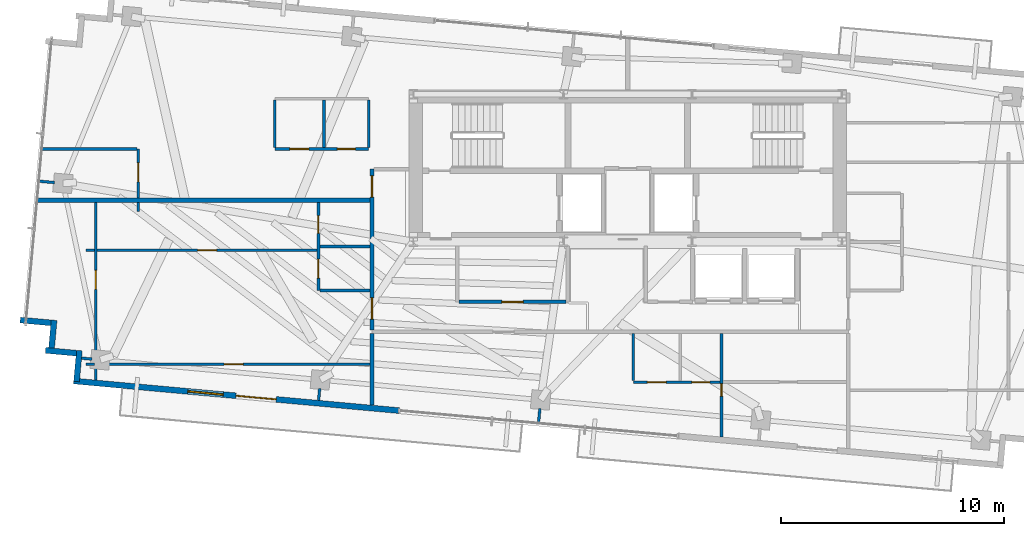
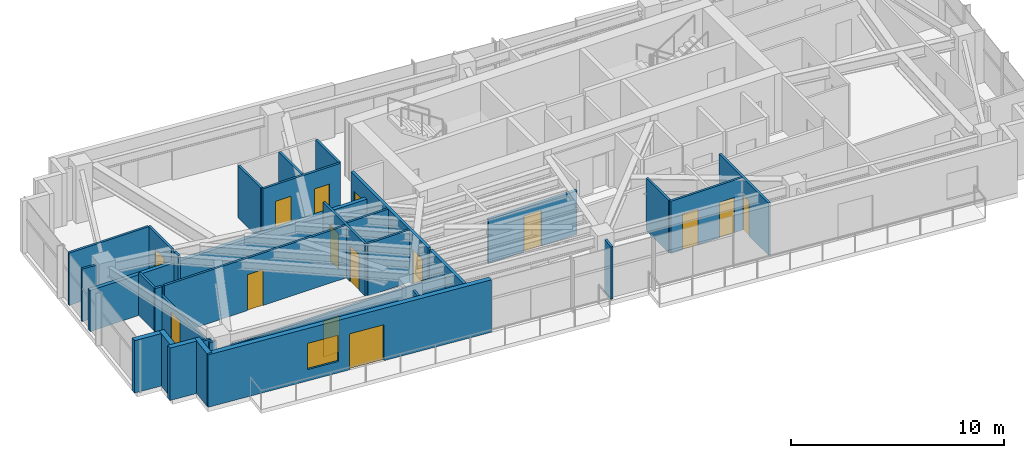
# One storey, part 16 of 22: 31 walls, 15 doors, 1 window, 16 openings.
"""IFC4 building model written with IfcOpenShell, lengths in metres."""

import ifcopenshell
import ifcopenshell.guid

model = None  # the IFC model being written
_history = None  # IfcOwnerHistory: only IFC2X3 demands one
_inside = {}  # id of a spatial element -> (the spatial element, [elements in it])
_under = {}  # id of a project, library or spatial element -> (it, [spatial elements below it])
_declared = {}  # id of a project -> (the project, [libraries it declares])
_typed = {}  # id of a type object -> (the type object, [elements of that type])
_made_of = {}  # id of a material, layer set ... -> (it, [elements and type objects made of it])


def new_model(schema):
    """Start an empty IFC model of exactly this schema.

    Asked for "IFC4X3", IfcOpenShell would pick the latest addendum, in which some entities
    have other attributes; the version numbers below select the first issue.
    IFC2X3 requires an IfcOwnerHistory on every rooted entity: one is made here for all.
    """
    global model, _history
    if schema == "IFC4X3":
        model = ifcopenshell.file(schema_version=(4, 3, 0, 0))
    else:
        model = ifcopenshell.file(schema=schema)
    _inside.clear()
    _under.clear()
    _declared.clear()
    _typed.clear()
    _made_of.clear()
    _history = None
    if model.schema == "IFC2X3":
        org = make("IfcOrganization", Name="unknown")
        user = make(
            "IfcPersonAndOrganization",
            ThePerson=make("IfcPerson", FamilyName="unknown"),
            TheOrganization=org,
        )
        app = make(
            "IfcApplication",
            ApplicationDeveloper=org,
            Version="unknown",
            ApplicationFullName="unknown",
            ApplicationIdentifier="unknown",
        )
        _history = make(
            "IfcOwnerHistory",
            OwningUser=user,
            OwningApplication=app,
            ChangeAction="ADDED",
            CreationDate=0,
        )
    return model


def make(cls, **values):
    """One entity of the class cls with the attributes given. An attribute that is None is left unset."""
    return model.create_entity(
        cls, **{name: value for name, value in values.items() if value is not None}
    )


def rooted(cls, **values):
    """An entity with a GlobalId (a new one), such as an element, a storey or a relation."""
    return make(cls, GlobalId=ifcopenshell.guid.new(), OwnerHistory=_history, **values)


def si_unit(unit_type, name, prefix=None):
    """IfcSIUnit, for example si_unit("LENGTHUNIT", "METRE", prefix="MILLI")."""
    return make("IfcSIUnit", UnitType=unit_type, Prefix=prefix, Name=name)


def assignment(units):
    """IfcUnitAssignment: the units of a project."""
    return None if units is None else make("IfcUnitAssignment", Units=units)


def point(xyz):
    """IfcCartesianPoint."""
    return None if xyz is None else make("IfcCartesianPoint", Coordinates=xyz)


def direction(xyz):
    """IfcDirection."""
    return None if xyz is None else make("IfcDirection", DirectionRatios=xyz)


def frame(location, z_axis=None, x_axis=None):
    """IfcAxis2Placement3D, a coordinate frame: its origin and axes. An axis left out is left unset."""
    return make(
        "IfcAxis2Placement3D",
        Location=point(location),
        Axis=direction(z_axis),
        RefDirection=direction(x_axis),
    )


def frame_2d(location, x_axis=None):
    """IfcAxis2Placement2D, a coordinate frame in the plane: its origin and x axis."""
    return make(
        "IfcAxis2Placement2D", Location=point(location), RefDirection=direction(x_axis)
    )


def origin():
    """The frame at (0, 0, 0) with its axes left unset."""
    return frame((0.0, 0.0, 0.0))


def place(relative_to, where):
    """IfcLocalPlacement: puts the frame where relative to a parent placement (None: the world)."""
    return make(
        "IfcLocalPlacement", PlacementRelTo=relative_to, RelativePlacement=where
    )


def context(
    kind, dimensions, precision=None, world=None, true_north=None, identifier=None
):
    """IfcGeometricRepresentationContext, for example the 3D "Model" context."""
    return make(
        "IfcGeometricRepresentationContext",
        ContextIdentifier=identifier,
        ContextType=kind,
        CoordinateSpaceDimension=dimensions,
        Precision=precision,
        WorldCoordinateSystem=world,
        TrueNorth=true_north,
    )


def subcontext(parent, identifier, kind, view, scale=None):
    """IfcGeometricRepresentationSubContext, for example "Body" below "Model"."""
    return make(
        "IfcGeometricRepresentationSubContext",
        ContextIdentifier=identifier,
        ContextType=kind,
        ParentContext=parent,
        TargetScale=scale,
        TargetView=view,
    )


def project(units=None, contexts=None):
    """IfcProject with its units and contexts."""
    return rooted(
        "IfcProject",
        Name="project",
        RepresentationContexts=contexts,
        UnitsInContext=assignment(units),
    )


def spatial(cls, under=None, at=None, **own):
    """A site, building, storey or space (cls), placed at a placement, below another one or the project."""
    s = rooted(cls, ObjectPlacement=at, **own)
    if under is not None:
        _under.setdefault(under.id(), (under, []))[1].append(s)
    return s


def profile(cls, at=None, kind="AREA", **sizes):
    """A parametric profile (cls). Its sizes go by their IFC names, for example OverallWidth=200.0."""
    return make(cls, ProfileType=kind, Position=at, **sizes)


def rectangle(**sizes):
    """IfcRectangleProfileDef."""
    return profile("IfcRectangleProfileDef", **sizes)


def extrude(swept, where, along, depth):
    """IfcExtrudedAreaSolid: the profile swept, set in the frame where, extruded along a direction by depth."""
    return make(
        "IfcExtrudedAreaSolid",
        SweptArea=swept,
        Position=where,
        ExtrudedDirection=direction(along),
        Depth=depth,
    )


def shape(context_of_items, identifier, shape_type, items):
    """IfcShapeRepresentation: the items that make up one representation, for example the "Body"."""
    return make(
        "IfcShapeRepresentation",
        ContextOfItems=context_of_items,
        RepresentationIdentifier=identifier,
        RepresentationType=shape_type,
        Items=items,
    )


def source(mapping_origin, context_of_items, identifier, shape_type, items):
    """IfcRepresentationMap: a shape defined once, which mapped items show again and again."""
    return make(
        "IfcRepresentationMap",
        MappingOrigin=mapping_origin,
        MappedRepresentation=shape(context_of_items, identifier, shape_type, items),
    )


def transform(
    local_origin,
    x_axis=None,
    y_axis=None,
    z_axis=None,
    scale=None,
    scale2=None,
    scale3=None,
    uniform=True,
):
    """IfcCartesianTransformationOperator3D, or its non-uniform kind. x_axis, y_axis, z_axis: its Axis1, 2, 3."""
    if uniform:
        return make(
            "IfcCartesianTransformationOperator3D",
            Axis1=direction(x_axis),
            Axis2=direction(y_axis),
            LocalOrigin=point(local_origin),
            Scale=scale,
            Axis3=direction(z_axis),
        )
    return make(
        "IfcCartesianTransformationOperator3DnonUniform",
        Axis1=direction(x_axis),
        Axis2=direction(y_axis),
        LocalOrigin=point(local_origin),
        Scale=scale,
        Axis3=direction(z_axis),
        Scale2=scale2,
        Scale3=scale3,
    )


def mapped(mapping_source, mapping_target):
    """IfcMappedItem: shows the shape of a source again, moved by a transform."""
    return make(
        "IfcMappedItem", MappingSource=mapping_source, MappingTarget=mapping_target
    )


def material(Name=None, Category=None):
    """IfcMaterial."""
    return make("IfcMaterial", Name=Name, Category=Category)


def layer(
    of_material, thickness, ventilated=None, Name=None, Category=None, Priority=None
):
    """IfcMaterialLayer: one layer of a wall or slab, of a material (None: an air gap)."""
    return make(
        "IfcMaterialLayer",
        Material=of_material,
        LayerThickness=thickness,
        IsVentilated=ventilated,
        Name=Name,
        Category=Category,
        Priority=Priority,
    )


def layer_set(layers, Name=None):
    """IfcMaterialLayerSet."""
    return make("IfcMaterialLayerSet", MaterialLayers=layers, LayerSetName=Name)


def made_of(thing, what):
    """Note that an element or type object is made of a material, layer set ...; save() writes the relation."""
    if what is not None:
        _made_of.setdefault(what.id(), (what, []))[1].append(thing)
    return thing


def type_object(cls, material=None, **own):
    """A type object (cls), such as IfcWallType, which elements share."""
    return made_of(rooted(cls, **own), material)


def type_shapes(of_type, sources):
    """Give a type object the sources (RepresentationMaps) that its elements show as mapped items."""
    of_type.RepresentationMaps = sources


def element(
    cls,
    number,
    at=None,
    inside=None,
    cuts=None,
    type_object=None,
    material=None,
    context=None,
    identifier="Body",
    shape_type=None,
    held_by="IfcProductDefinitionShape",
    body=None,
    shapes=None,
    **own,
):
    """One element of the class cls, such as IfcWall. Its Tag is "e" and its number.

    at: its placement. inside: the storey or other place that contains it. cuts: it is an
    opening in that element (IfcRelVoidsElement). A single representation is given by context,
    identifier, shape_type and body (its items); several are given by shapes. held_by: the class
    of the entity that holds the representations. save() writes the other relations.
    """
    e = rooted(cls, Tag="e%d" % number, ObjectPlacement=at, **own)
    if body is not None:
        shapes = [shape(context, identifier, shape_type, body)]
    if shapes is not None:
        e.Representation = make(held_by, Representations=shapes)
    if inside is not None:
        _inside.setdefault(inside.id(), (inside, []))[1].append(e)
    if cuts is not None:
        rooted(
            "IfcRelVoidsElement", RelatingBuildingElement=cuts, RelatedOpeningElement=e
        )
    if type_object is not None:
        _typed.setdefault(type_object.id(), (type_object, []))[1].append(e)
    return made_of(e, material)


def fill(opening, filler):
    """IfcRelFillsElement: the door or window that sits in an opening."""
    return rooted(
        "IfcRelFillsElement",
        RelatingOpeningElement=opening,
        RelatedBuildingElement=filler,
    )


def aggregate(whole, parts):
    """IfcRelAggregates: a whole, such as a stair, and the parts it consists of."""
    return rooted("IfcRelAggregates", RelatingObject=whole, RelatedObjects=parts)


def save(model, path):
    """Write the relations noted so far, then the file.

    IfcRelAggregates (storeys below a building ...), IfcRelContainedInSpatialStructure (elements
    in a storey), IfcRelDefinesByType, IfcRelAssociatesMaterial and IfcRelDeclares: one each for
    every whole, place, type object, material and project.
    """
    for whole, parts in _under.values():
        aggregate(whole, parts)
    for where, things in _inside.values():
        rooted(
            "IfcRelContainedInSpatialStructure",
            RelatedElements=things,
            RelatingStructure=where,
        )
    for kind, things in _typed.values():
        rooted("IfcRelDefinesByType", RelatedObjects=things, RelatingType=kind)
    for what, things in _made_of.values():
        rooted("IfcRelAssociatesMaterial", RelatedObjects=things, RelatingMaterial=what)
    for by, libraries in _declared.values():
        rooted("IfcRelDeclares", RelatingContext=by, RelatedDefinitions=libraries)
    model.write(path)


model = new_model("IFC4")

# Units and contexts
model_context = context("Model", 3, precision=1e-05, world=origin(), true_north=direction((0.0, 1.0)))
body_context = subcontext(model_context, "Body", "Model", "MODEL_VIEW")
ifc_project = project(units=[si_unit("LENGTHUNIT", "METRE"), si_unit("AREAUNIT", "SQUARE_METRE"), si_unit("VOLUMEUNIT", "CUBIC_METRE"), si_unit("PLANEANGLEUNIT", "RADIAN"), si_unit("MASSUNIT", "GRAM", prefix="KILO")], contexts=[model_context])

# Site, building, storey
site_placement = place(None, origin())
site = spatial("IfcSite", under=ifc_project, at=site_placement, CompositionType="ELEMENT")
building_placement = place(site_placement, origin())
building = spatial("IfcBuilding", under=site, at=building_placement, Name="Astriad Promenade Condominiums", CompositionType="ELEMENT")
storey_placement = place(building_placement, frame((0.0, 0.0, 256.199951171875)))
storey = spatial("IfcBuildingStorey", under=building, at=storey_placement, Name="L74", CompositionType="ELEMENT", Elevation=256.199951171875)

# Wall
ifc_material_1 = material(Name="Fire-Rated Gypsum Partition")
ifc_layer_1 = layer(ifc_material_1, 0.159912109375)
ifc_layer_set_1 = layer_set([ifc_layer_1], Name="Fire-Rated Gypsum Partition")
wall_type_1 = type_object("IfcWallType", Name="WALL-CORR-160", PredefinedType="PARTITIONING", material=ifc_layer_set_1)
wall_1_placement = place(storey_placement, frame((24.550048828125, 10.0771484375, 0.0), z_axis=(0.0, 0.0, 1.0), x_axis=(0.0, 1.0, 0.0)))
element("IfcWall", 1, at=wall_1_placement, inside=storey, type_object=wall_type_1, Name="PT-COR-W-L74", PredefinedType="PARTITIONING", context=body_context, shape_type="SweptSolid", body=[
    extrude(rectangle(XDim=3.200927734375, YDim=0.159912109375, at=frame_2d((1.6005859375, 0.0))), origin(), (0.0, 0.0, 1.0), 3.0),
])

# Wall, openings, doors
wall_2_placement = place(storey_placement, frame((24.550048828125, 13.44189453125, 0.0), z_axis=(0.0, 0.0, 1.0), x_axis=(0.0, 1.0, 0.0)))
wall_2 = element("IfcWall", 2, at=wall_2_placement, inside=storey, type_object=wall_type_1, Name="PT-COR-W-L74-S2", PredefinedType="PARTITIONING", context=body_context, shape_type="SweptSolid", body=[
    extrude(rectangle(XDim=7.2080078125, YDim=0.159912109375, at=frame_2d((3.60400390625, 0.0))), origin(), (0.0, 0.0, 1.0), 3.0),
])
opening_1_placement = place(wall_2_placement, frame((0.492919921875, 0.0, 0.0)))
opening_1 = element("IfcOpeningElement", 3, at=opening_1_placement, cuts=wall_2, Name="Opening FD60-APT-095", PredefinedType="OPENING", context=body_context, shape_type="SweptSolid", body=[
    extrude(rectangle(XDim=0.949951171875, YDim=2.06005859375, at=frame_2d((0.47509765625, 1.030029296875))), frame((0.0, 0.08984375, 0.0), z_axis=(0.0, -1.0, 0.0), x_axis=(1.0, 0.0, 0.0)), (0.0, 0.0, 1.0), 0.179931640625),
])
opening_2_placement = place(wall_2_placement, frame((5.948974609375, 0.0, 0.0)))
opening_2 = element("IfcOpeningElement", 4, at=opening_2_placement, cuts=wall_2, Name="Opening FD60-APT-095", PredefinedType="OPENING", context=body_context, shape_type="SweptSolid", body=[
    extrude(rectangle(XDim=0.949951171875, YDim=2.06005859375, at=frame_2d((0.47509765625, 1.030029296875))), frame((0.0, 0.08984375, 0.0), z_axis=(0.0, -1.0, 0.0), x_axis=(1.0, 0.0, 0.0)), (0.0, 0.0, 1.0), 0.179931640625),
])
ifc_material_2 = material(Name="Solid-Core Acoustic Timber Residence Entry Door", Category="wood")
door_type_1 = type_object("IfcDoorType", Name="FD60-APT-095", OperationType="NOTDEFINED", PredefinedType="DOOR", material=ifc_material_2)
shared_shape_1 = source(origin(), body_context, "Body", "SweptSolid", [
    extrude(rectangle(XDim=0.949951171875, YDim=2.06005859375, at=frame_2d((0.47509765625, 1.030029296875))), frame((0.0, 0.02490234375, 0.0), z_axis=(0.0, -1.0, 0.0), x_axis=(1.0, 0.0, 0.0)), (0.0, 0.0, 1.0), 0.050048828125),
])
type_shapes(door_type_1, [shared_shape_1])
door_1_placement = place(opening_1_placement, origin())
door_1 = element("IfcDoor", 5, at=door_1_placement, inside=storey, type_object=door_type_1, Name="D-ENT-L74-W1", OperationType="SINGLE_SWING_LEFT", OverallHeight=2.06005859375, OverallWidth=0.949951171875, PredefinedType="DOOR", context=body_context, shape_type="MappedRepresentation", body=[
    mapped(shared_shape_1, transform((0.0, 0.0, 0.0), scale=1.0)),
])
fill(opening_1, door_1)
door_2_placement = place(opening_2_placement, origin())
door_2 = element("IfcDoor", 6, at=door_2_placement, inside=storey, type_object=door_type_1, Name="D-ENT-L74-W2", OperationType="SINGLE_SWING_LEFT", OverallHeight=2.06005859375, OverallWidth=0.949951171875, PredefinedType="DOOR", context=body_context, shape_type="MappedRepresentation", body=[
    mapped(shared_shape_1, transform((0.0, 0.0, 0.0), scale=1.0)),
])
fill(opening_2, door_2)

# Wall, opening, door
wall_3_placement = place(storey_placement, frame((28.44189453125, 14.699951171875, 0.0), z_axis=(0.0, 0.0, 1.0), x_axis=(1.0, 0.0, 0.0)))
wall_3 = element("IfcWall", 7, at=wall_3_placement, inside=storey, type_object=wall_type_1, Name="PT-Z3REC-S-L74", PredefinedType="PARTITIONING", context=body_context, shape_type="SweptSolid", body=[
    extrude(rectangle(XDim=4.796142578125, YDim=0.159912109375, at=frame_2d((2.39794921875, 0.0))), origin(), (0.0, 0.0, 1.0), 2.509765625),
])
opening_3_placement = place(wall_3_placement, frame((1.923095703125, 0.0, 0.0)))
opening_3 = element("IfcOpeningElement", 8, at=opening_3_placement, cuts=wall_3, Name="Opening FD60-APT-095", PredefinedType="OPENING", context=body_context, shape_type="SweptSolid", body=[
    extrude(rectangle(XDim=0.949951171875, YDim=2.06005859375, at=frame_2d((0.47509765625, 1.030029296875))), frame((0.0, 0.08984375, 0.0), z_axis=(0.0, -1.0, 0.0), x_axis=(1.0, 0.0, 0.0)), (0.0, 0.0, 1.0), 0.179931640625),
])
door_3_placement = place(opening_3_placement, origin())
door_3 = element("IfcDoor", 9, at=door_3_placement, inside=storey, type_object=door_type_1, Name="D-Z3R-L74", OperationType="SINGLE_SWING_RIGHT", OverallHeight=2.06005859375, OverallWidth=0.949951171875, PredefinedType="DOOR", context=body_context, shape_type="MappedRepresentation", body=[
    mapped(shared_shape_1, transform((0.0, 0.0, 0.0), scale=1.0)),
])
fill(opening_3, door_3)

# Walls
ifc_material_3 = material(Name="Acoustic Double-Stud Gypsum Partition")
ifc_layer_2 = layer(ifc_material_3, 0.199951171875)
ifc_layer_set_2 = layer_set([ifc_layer_2], Name="Acoustic Double-Stud Gypsum Partition")
wall_type_2 = type_object("IfcWallType", Name="WALL-DEMISING-200", PredefinedType="PARTITIONING", material=ifc_layer_set_2)
wall_4_placement = place(storey_placement, frame((9.497314453125, 19.25, 0.0), z_axis=(0.0, 0.0, 1.0), x_axis=(1.0, 0.0, 0.0)))
element("IfcWall", 10, at=wall_4_placement, inside=storey, type_object=wall_type_2, Name="PT-DEM-WW-L74", PredefinedType="PARTITIONING", context=body_context, shape_type="SweptSolid", body=[
    extrude(rectangle(XDim=14.970703125, YDim=0.199951171875, at=frame_2d((7.4853515625, 0.0))), origin(), (0.0, 0.0, 1.0), 2.341552734375),
])
ifc_material_4 = material(Name="Precast concrete C50/60", Category="concrete")
ifc_layer_3 = layer(ifc_material_4, 0.260009765625)
ifc_layer_set_3 = layer_set([ifc_layer_3], Name="Precast concrete C50/60")
wall_type_3 = type_object("IfcWallType", Name="WALL-EXT-TWR-260", PredefinedType="STANDARD", material=ifc_layer_set_3)
wall_5_placement = place(storey_placement, frame((11.3193359375, 12.40380859375, 0.0), z_axis=(0.0, 0.0, 1.0), x_axis=(-0.995881721538, 0.090661991521, 0.0)))
element("IfcWall", 11, at=wall_5_placement, inside=storey, type_object=wall_type_3, Name="W-SER-L74-00", PredefinedType="STANDARD", context=body_context, shape_type="SweptSolid", body=[
    extrude(rectangle(XDim=1.39501953125, YDim=0.260009765625, at=frame_2d((0.697509765625, 0.0))), origin(), (0.0, 0.0, 1.0), 3.0),
])
wall_6_placement = place(storey_placement, frame((10.187744140625, 12.49169921875, 0.0), z_axis=(0.0, 0.0, 1.0), x_axis=(0.090646191665, 0.995883159782, 0.0)))
element("IfcWall", 12, at=wall_6_placement, inside=storey, type_object=wall_type_3, Name="W-SER-L74-01", PredefinedType="STANDARD", context=body_context, shape_type="SweptSolid", body=[
    extrude(rectangle(XDim=1.395263671875, YDim=0.260009765625, at=frame_2d((0.69775390625, 0.0))), origin(), (0.0, 0.0, 1.0), 3.0),
])
wall_7_placement = place(storey_placement, frame((10.187744140625, 13.761962890625, 0.0), z_axis=(0.0, 0.0, 1.0), x_axis=(-0.995881721538, 0.090661991521, 0.0)))
element("IfcWall", 13, at=wall_7_placement, inside=storey, type_object=wall_type_3, Name="W-SER-L74-02", PredefinedType="STANDARD", context=body_context, shape_type="SweptSolid", body=[
    extrude(rectangle(XDim=1.39501953125, YDim=0.260009765625, at=frame_2d((0.697509765625, 0.0))), origin(), (0.0, 0.0, 1.0), 3.0),
])

# Wall, openings, door, window
wall_8_placement = place(storey_placement, frame((25.760986328125, 9.83447265625, 0.0), z_axis=(0.0, 0.0, 1.0), x_axis=(-0.995884584572, 0.090630536861, 0.0)))
wall_8 = element("IfcWall", 14, at=wall_8_placement, inside=storey, type_object=wall_type_3, Name="W-EXT-L74-S2", PredefinedType="STANDARD", context=body_context, shape_type="SweptSolid", body=[
    extrude(rectangle(XDim=14.630126953125, YDim=0.260009765625, at=frame_2d((7.31494140625, 0.0))), origin(), (0.0, 0.0, 1.0), 3.0),
])
opening_4_placement = place(wall_8_placement, frame((5.530029296875, 0.0, 0.0)))
opening_4 = element("IfcOpeningElement", 15, at=opening_4_placement, cuts=wall_8, Name="Opening BD-1822-SLD", PredefinedType="OPENING", context=body_context, shape_type="SweptSolid", body=[
    extrude(rectangle(XDim=1.800048828125, YDim=2.06005859375, at=frame_2d((0.89990234375, 1.030029296875))), frame((0.0, 0.139892578125, 0.0), z_axis=(0.0, -1.0, 0.0), x_axis=(1.0, 0.0, 0.0)), (0.0, 0.0, 1.0), 0.280029296875),
])
opening_5_placement = place(wall_8_placement, frame((7.89990234375, 0.0, 0.64990234375)))
opening_5 = element("IfcOpeningElement", 16, at=opening_5_placement, cuts=wall_8, Name="Opening WIN-TWR-1620", PredefinedType="OPENING", context=body_context, shape_type="SweptSolid", body=[
    extrude(rectangle(XDim=1.60009765625, YDim=1.5, at=frame_2d((0.800048828125, 0.75))), frame((0.0, 0.139892578125, 0.0), z_axis=(0.0, -1.0, 0.0), x_axis=(1.0, 0.0, 0.0)), (0.0, 0.0, 1.0), 0.280029296875),
])
ifc_material_5 = material(Name="Thermally Broken Aluminium Sliding Balcony Door", Category="aluminium")
door_type_2 = type_object("IfcDoorType", Name="BD-1822-SLD", OperationType="NOTDEFINED", PredefinedType="DOOR", material=ifc_material_5)
shared_shape_2 = source(origin(), body_context, "Body", "SweptSolid", [
    extrude(rectangle(XDim=1.800048828125, YDim=2.06005859375, at=frame_2d((0.89990234375, 1.030029296875))), frame((0.0, 0.02490234375, 0.0), z_axis=(0.0, -1.0, 0.0), x_axis=(1.0, 0.0, 0.0)), (0.0, 0.0, 1.0), 0.050048828125),
])
type_shapes(door_type_2, [shared_shape_2])
door_4_placement = place(opening_4_placement, origin())
door_4 = element("IfcDoor", 17, at=door_4_placement, inside=storey, type_object=door_type_2, Name="BD-L74-SW", OperationType="SLIDING_TO_LEFT", OverallHeight=2.06005859375, OverallWidth=1.800048828125, PredefinedType="DOOR", context=body_context, shape_type="MappedRepresentation", body=[
    mapped(shared_shape_2, transform((0.0, 0.0, 0.0), scale=1.0)),
])
fill(opening_4, door_4)
ifc_material_6 = material(Name="Dark Tinted Triple-Glazed Aluminium Window", Category="aluminium")
window_type = type_object("IfcWindowType", Name="WIN-TWR-1620", PartitioningType="SINGLE_PANEL", PredefinedType="WINDOW", material=ifc_material_6)
shared_shape_3 = source(origin(), body_context, "Body", "SweptSolid", [
    extrude(rectangle(XDim=1.60009765625, YDim=1.5, at=frame_2d((0.800048828125, 0.75))), frame((0.0, 0.030029296875, 0.0), z_axis=(0.0, -1.0, 0.0), x_axis=(1.0, 0.0, 0.0)), (0.0, 0.0, 1.0), 0.06005859375),
])
type_shapes(window_type, [shared_shape_3])
window_placement = place(opening_5_placement, origin())
window = element("IfcWindow", 18, at=window_placement, inside=storey, type_object=window_type, Name="WIN-L74-SW", OverallHeight=1.5, OverallWidth=1.60009765625, PartitioningType="SINGLE_PANEL", PredefinedType="WINDOW", context=body_context, shape_type="MappedRepresentation", body=[
    mapped(shared_shape_3, transform((0.0, 0.0, 0.0), scale=1.0)),
])
fill(opening_5, window)

# Wall
wall_9_placement = place(storey_placement, frame((11.3193359375, 11.133544921875, 0.0), z_axis=(0.0, 0.0, 1.0), x_axis=(0.090661991521, 0.995881721538, 0.0)))
element("IfcWall", 19, at=wall_9_placement, inside=storey, type_object=wall_type_3, Name="W-SER-L74-19", PredefinedType="STANDARD", context=body_context, shape_type="SweptSolid", body=[
    extrude(rectangle(XDim=1.39501953125, YDim=0.260009765625, at=frame_2d((0.697509765625, 0.0))), origin(), (0.0, 0.0, 1.0), 3.0),
])

# Wall, opening, door
ifc_material_7 = material(Name="Acoustic Metal-Stud Gypsum Partition")
ifc_layer_4 = layer(ifc_material_7, 0.1201171875)
ifc_layer_set_4 = layer_set([ifc_layer_4], Name="Acoustic Metal-Stud Gypsum Partition")
wall_type_4 = type_object("IfcWallType", Name="WALL-PART-120", PredefinedType="PARTITIONING", material=ifc_layer_set_4)
wall_10_placement = place(storey_placement, frame((40.199951171875, 8.65283203125, 0.0), z_axis=(0.0, 0.0, 1.0), x_axis=(0.0, 1.0, 0.0)))
wall_10 = element("IfcWall", 20, at=wall_10_placement, inside=storey, type_object=wall_type_4, Name="PT-L74-S1-BD1", PredefinedType="PARTITIONING", context=body_context, shape_type="SweptSolid", body=[
    extrude(rectangle(XDim=4.625244140625, YDim=0.1201171875, at=frame_2d((2.3125, 0.0))), origin(), (0.0, 0.0, 1.0), 3.0),
])
opening_6_placement = place(wall_10_placement, frame((1.832275390625, 0.0, 0.0)))
opening_6 = element("IfcOpeningElement", 21, at=opening_6_placement, cuts=wall_10, Name="Opening D-AC-055", PredefinedType="OPENING", context=body_context, shape_type="SweptSolid", body=[
    extrude(rectangle(XDim=0.550048828125, YDim=2.0, at=frame_2d((0.27490234375, 1.0))), frame((0.0, 0.070068359375, 0.0), z_axis=(0.0, -1.0, 0.0), x_axis=(1.0, 0.0, 0.0)), (0.0, 0.0, 1.0), 0.14013671875),
])
ifc_material_8 = material(Name="Painted Timber Access Door", Category="wood")
door_type_3 = type_object("IfcDoorType", Name="D-AC-055", OperationType="NOTDEFINED", PredefinedType="DOOR", material=ifc_material_8)
shared_shape_4 = source(origin(), body_context, "Body", "SweptSolid", [
    extrude(rectangle(XDim=0.550048828125, YDim=2.0, at=frame_2d((0.27490234375, 1.0))), frame((0.0, 0.02490234375, 0.0), z_axis=(0.0, -1.0, 0.0), x_axis=(1.0, 0.0, 0.0)), (0.0, 0.0, 1.0), 0.050048828125),
])
type_shapes(door_type_3, [shared_shape_4])
door_5_placement = place(opening_6_placement, origin())
door_5 = element("IfcDoor", 22, at=door_5_placement, inside=storey, type_object=door_type_3, Name="D-BD1-L74-S1", OperationType="SINGLE_SWING_RIGHT", OverallHeight=2.0, OverallWidth=0.550048828125, PredefinedType="DOOR", context=body_context, shape_type="MappedRepresentation", body=[
    mapped(shared_shape_4, transform((0.0, 0.0, 0.0), scale=1.0)),
])
fill(opening_6, door_5)

# Wall, openings, doors
wall_11_placement = place(storey_placement, frame((36.25, 11.110107421875, 0.0), z_axis=(0.0, 0.0, 1.0), x_axis=(1.0, 0.0, 0.0)))
wall_11 = element("IfcWall", 23, at=wall_11_placement, inside=storey, type_object=wall_type_4, Name="PT-L74-S1-PS", PredefinedType="PARTITIONING", context=body_context, shape_type="SweptSolid", body=[
    extrude(rectangle(XDim=3.887939453125, YDim=0.1201171875, at=frame_2d((1.94384765625, 0.0))), origin(), (0.0, 0.0, 1.0), 3.0),
])
opening_7_placement = place(wall_11_placement, frame((0.625, 0.0, 0.0)))
opening_7 = element("IfcOpeningElement", 24, at=opening_7_placement, cuts=wall_11, Name="Opening D-INT-085", PredefinedType="OPENING", context=body_context, shape_type="SweptSolid", body=[
    extrude(rectangle(XDim=0.85009765625, YDim=2.050048828125, at=frame_2d((0.425048828125, 1.02490234375))), frame((0.0, 0.070068359375, 0.0), z_axis=(0.0, -1.0, 0.0), x_axis=(1.0, 0.0, 0.0)), (0.0, 0.0, 1.0), 0.14013671875),
])
opening_8_placement = place(wall_11_placement, frame((2.625, 0.0, 0.0)))
opening_8 = element("IfcOpeningElement", 25, at=opening_8_placement, cuts=wall_11, Name="Opening D-WET-080", PredefinedType="OPENING", context=body_context, shape_type="SweptSolid", body=[
    extrude(rectangle(XDim=0.800048828125, YDim=2.02001953125, at=frame_2d((0.39990234375, 1.010009765625))), frame((0.0, 0.070068359375, 0.0), z_axis=(0.0, -1.0, 0.0), x_axis=(1.0, 0.0, 0.0)), (0.0, 0.0, 1.0), 0.14013671875),
])
ifc_material_9 = material(Name="Moisture-Resistant Timber Bathroom Door", Category="wood")
door_type_4 = type_object("IfcDoorType", Name="D-WET-080", OperationType="NOTDEFINED", PredefinedType="DOOR", material=ifc_material_9)
shared_shape_5 = source(origin(), body_context, "Body", "SweptSolid", [
    extrude(rectangle(XDim=0.800048828125, YDim=2.02001953125, at=frame_2d((0.39990234375, 1.010009765625))), frame((0.0, 0.02490234375, 0.0), z_axis=(0.0, -1.0, 0.0), x_axis=(1.0, 0.0, 0.0)), (0.0, 0.0, 1.0), 0.050048828125),
])
type_shapes(door_type_4, [shared_shape_5])
door_6_placement = place(opening_8_placement, origin())
door_6 = element("IfcDoor", 26, at=door_6_placement, inside=storey, type_object=door_type_4, Name="D-BTH-L74-S1", OperationType="SINGLE_SWING_RIGHT", OverallHeight=2.02001953125, OverallWidth=0.800048828125, PredefinedType="DOOR", context=body_context, shape_type="MappedRepresentation", body=[
    mapped(shared_shape_5, transform((0.0, 0.0, 0.0), scale=1.0)),
])
fill(opening_8, door_6)
ifc_material_10 = material(Name="Painted Solid-Core Timber Room Door", Category="wood")
door_type_5 = type_object("IfcDoorType", Name="D-INT-085", OperationType="NOTDEFINED", PredefinedType="DOOR", material=ifc_material_10)
shared_shape_6 = source(origin(), body_context, "Body", "SweptSolid", [
    extrude(rectangle(XDim=0.85009765625, YDim=2.050048828125, at=frame_2d((0.425048828125, 1.02490234375))), frame((0.0, 0.02490234375, 0.0), z_axis=(0.0, -1.0, 0.0), x_axis=(1.0, 0.0, 0.0)), (0.0, 0.0, 1.0), 0.050048828125),
])
type_shapes(door_type_5, [shared_shape_6])
door_7_placement = place(opening_7_placement, origin())
door_7 = element("IfcDoor", 27, at=door_7_placement, inside=storey, type_object=door_type_5, Name="D-KIT-L74-S1", OperationType="SINGLE_SWING_LEFT", OverallHeight=2.050048828125, OverallWidth=0.85009765625, PredefinedType="DOOR", context=body_context, shape_type="MappedRepresentation", body=[
    mapped(shared_shape_6, transform((0.0, 0.0, 0.0), scale=1.0)),
])
fill(opening_7, door_7)

# Wall
wall_12_placement = place(storey_placement, frame((36.25, 11.172119140625, 0.0), z_axis=(0.0, 0.0, 1.0), x_axis=(0.0, 1.0, 0.0)))
element("IfcWall", 28, at=wall_12_placement, inside=storey, type_object=wall_type_4, Name="PT-L74-S1-PKW", PredefinedType="PARTITIONING", context=body_context, shape_type="SweptSolid", body=[
    extrude(rectangle(XDim=2.10595703125, YDim=0.1201171875, at=frame_2d((1.052978515625, 0.0))), origin(), (0.0, 0.0, 1.0), 3.0),
])

# Wall, openings, doors
wall_13_placement = place(storey_placement, frame((22.14990234375, 15.2099609375, 0.0), z_axis=(0.0, 0.0, 1.0), x_axis=(0.0, 1.0, 0.0)))
wall_13 = element("IfcWall", 29, at=wall_13_placement, inside=storey, type_object=wall_type_4, Name="PT-L74-W1-PV", PredefinedType="PARTITIONING", context=body_context, shape_type="SweptSolid", body=[
    extrude(rectangle(XDim=3.93798828125, YDim=0.1201171875, at=frame_2d((1.968994140625, 0.0))), origin(), (0.0, 0.0, 1.0), 3.0),
])
opening_9_placement = place(wall_13_placement, frame((0.56005859375, 0.0, 0.0)))
opening_9 = element("IfcOpeningElement", 30, at=opening_9_placement, cuts=wall_13, Name="Opening D-INT-085", PredefinedType="OPENING", context=body_context, shape_type="SweptSolid", body=[
    extrude(rectangle(XDim=0.85009765625, YDim=2.050048828125, at=frame_2d((0.425048828125, 1.02490234375))), frame((0.0, 0.070068359375, 0.0), z_axis=(0.0, -1.0, 0.0), x_axis=(1.0, 0.0, 0.0)), (0.0, 0.0, 1.0), 0.14013671875),
])
opening_10_placement = place(wall_13_placement, frame((2.554931640625, 0.0, 0.0)))
opening_10 = element("IfcOpeningElement", 31, at=opening_10_placement, cuts=wall_13, Name="Opening D-WET-080", PredefinedType="OPENING", context=body_context, shape_type="SweptSolid", body=[
    extrude(rectangle(XDim=0.800048828125, YDim=2.02001953125, at=frame_2d((0.39990234375, 1.010009765625))), frame((0.0, 0.070068359375, 0.0), z_axis=(0.0, -1.0, 0.0), x_axis=(1.0, 0.0, 0.0)), (0.0, 0.0, 1.0), 0.14013671875),
])
door_8_placement = place(opening_10_placement, origin())
door_8 = element("IfcDoor", 32, at=door_8_placement, inside=storey, type_object=door_type_4, Name="D-BTH-L74-W1", OperationType="SINGLE_SWING_LEFT", OverallHeight=2.02001953125, OverallWidth=0.800048828125, PredefinedType="DOOR", context=body_context, shape_type="MappedRepresentation", body=[
    mapped(shared_shape_5, transform((0.0, 0.0, 0.0), scale=1.0)),
])
fill(opening_10, door_8)
door_9_placement = place(opening_9_placement, origin())
door_9 = element("IfcDoor", 33, at=door_9_placement, inside=storey, type_object=door_type_5, Name="D-KIT-L74-W1", OperationType="SINGLE_SWING_RIGHT", OverallHeight=2.050048828125, OverallWidth=0.85009765625, PredefinedType="DOOR", context=body_context, shape_type="MappedRepresentation", body=[
    mapped(shared_shape_6, transform((0.0, 0.0, 0.0), scale=1.0)),
])
fill(opening_9, door_9)

# Walls
for number, where, z_axis, x_axis, name in (
    (34, (22.2119140625, 17.179931640625, 0.0), (0.0, 0.0, 1.0), (1.0, 0.0, 0.0), "PT-L74-W1-PM"),
    (35, (22.2119140625, 15.2099609375, 0.0), (0.0, 0.0, 1.0), (1.0, 0.0, 0.0), "PT-L74-W1-PS"),
):
    element("IfcWall", number, at=place(storey_placement, frame(where, z_axis=z_axis, x_axis=x_axis)), inside=storey, type_object=wall_type_4, Name=name, PredefinedType="PARTITIONING", context=body_context, shape_type="SweptSolid", body=[
        extrude(rectangle(XDim=2.256103515625, YDim=0.1201171875, at=frame_2d((1.1279296875, 0.0))), origin(), (0.0, 0.0, 1.0), 3.0),
    ])

# Wall, opening, door
wall_14_placement = place(storey_placement, frame((12.180908203125, 11.202880859375, 0.0), z_axis=(0.0, 0.0, 1.0), x_axis=(0.0, 1.0, 0.0)))
wall_14 = element("IfcWall", 36, at=wall_14_placement, inside=storey, type_object=wall_type_4, Name="PT-L74-W1-B1", PredefinedType="PARTITIONING", context=body_context, shape_type="SweptSolid", body=[
    extrude(rectangle(XDim=7.945068359375, YDim=0.1201171875, at=frame_2d((3.97265625, 0.0))), origin(), (0.0, 0.0, 1.0), 2.442626953125),
])
opening_11_placement = place(wall_14_placement, frame((4.05908203125, 0.0, 0.0)))
opening_11 = element("IfcOpeningElement", 37, at=opening_11_placement, cuts=wall_14, Name="Opening D-INT-085", PredefinedType="OPENING", context=body_context, shape_type="SweptSolid", body=[
    extrude(rectangle(XDim=0.85009765625, YDim=2.050048828125, at=frame_2d((0.425048828125, 1.02490234375))), frame((0.0, 0.070068359375, 0.0), z_axis=(0.0, -1.0, 0.0), x_axis=(1.0, 0.0, 0.0)), (0.0, 0.0, 1.0), 0.14013671875),
])
door_10_placement = place(opening_11_placement, origin())
door_10 = element("IfcDoor", 38, at=door_10_placement, inside=storey, type_object=door_type_5, Name="D-BD1-L74-W1", OperationType="SINGLE_SWING_RIGHT", OverallHeight=2.050048828125, OverallWidth=0.85009765625, PredefinedType="DOOR", context=body_context, shape_type="MappedRepresentation", body=[
    mapped(shared_shape_6, transform((0.0, 0.0, 0.0), scale=1.0)),
])
fill(opening_11, door_10)

# Wall
wall_15_placement = place(storey_placement, frame((11.740966796875, 17.010986328125, 0.0), z_axis=(0.0, 0.0, 1.0), x_axis=(1.0, 0.0, 0.0)))
element("IfcWall", 39, at=wall_15_placement, inside=storey, type_object=wall_type_4, Name="PT-L74-W1-WDN1", PredefinedType="PARTITIONING", context=body_context, shape_type="SweptSolid", body=[
    extrude(rectangle(XDim=0.3779296875, YDim=0.1201171875, at=frame_2d((0.18896484375, 0.0))), origin(), (0.0, 0.0, 1.0), 3.0),
])

# Wall, opening, door
wall_16_placement = place(storey_placement, frame((12.242919921875, 17.010986328125, 0.0), z_axis=(0.0, 0.0, 1.0), x_axis=(1.0, 0.0, 0.0)))
wall_16 = element("IfcWall", 40, at=wall_16_placement, inside=storey, type_object=wall_type_4, Name="PT-L74-W1-WDN1-S2", PredefinedType="PARTITIONING", context=body_context, shape_type="SweptSolid", body=[
    extrude(rectangle(XDim=9.844970703125, YDim=0.1201171875, at=frame_2d((4.92236328125, 0.0))), origin(), (0.0, 0.0, 1.0), 3.0),
])
opening_12_placement = place(wall_16_placement, frame((4.4970703125, 0.0, 0.0)))
opening_12 = element("IfcOpeningElement", 41, at=opening_12_placement, cuts=wall_16, Name="Opening D-INT-085", PredefinedType="OPENING", context=body_context, shape_type="SweptSolid", body=[
    extrude(rectangle(XDim=0.85009765625, YDim=2.050048828125, at=frame_2d((0.425048828125, 1.02490234375))), frame((0.0, 0.070068359375, 0.0), z_axis=(0.0, -1.0, 0.0), x_axis=(1.0, 0.0, 0.0)), (0.0, 0.0, 1.0), 0.14013671875),
])
door_11_placement = place(opening_12_placement, origin())
door_11 = element("IfcDoor", 42, at=door_11_placement, inside=storey, type_object=door_type_5, Name="D-WDN1-L74-W1", OperationType="SINGLE_SWING_LEFT", OverallHeight=2.050048828125, OverallWidth=0.85009765625, PredefinedType="DOOR", context=body_context, shape_type="MappedRepresentation", body=[
    mapped(shared_shape_6, transform((0.0, 0.0, 0.0), scale=1.0)),
])
fill(opening_12, door_11)

# Wall
wall_17_placement = place(storey_placement, frame((11.740966796875, 11.905029296875, 0.0), z_axis=(0.0, 0.0, 1.0), x_axis=(1.0, 0.0, 0.0)))
element("IfcWall", 43, at=wall_17_placement, inside=storey, type_object=wall_type_4, Name="PT-L74-W1-WDS2", PredefinedType="PARTITIONING", context=body_context, shape_type="SweptSolid", body=[
    extrude(rectangle(XDim=0.3779296875, YDim=0.1201171875, at=frame_2d((0.18896484375, 0.0))), origin(), (0.0, 0.0, 1.0), 3.0),
])

# Wall, opening, door
wall_18_placement = place(storey_placement, frame((12.242919921875, 11.905029296875, 0.0), z_axis=(0.0, 0.0, 1.0), x_axis=(1.0, 0.0, 0.0)))
wall_18 = element("IfcWall", 44, at=wall_18_placement, inside=storey, type_object=wall_type_4, Name="PT-L74-W1-WDS2-S2", PredefinedType="PARTITIONING", context=body_context, shape_type="SweptSolid", body=[
    extrude(rectangle(XDim=12.22509765625, YDim=0.1201171875, at=frame_2d((6.112548828125, 0.0))), origin(), (0.0, 0.0, 1.0), 2.442626953125),
])
opening_13_placement = place(wall_18_placement, frame((5.68701171875, 0.0, 0.0)))
opening_13 = element("IfcOpeningElement", 45, at=opening_13_placement, cuts=wall_18, Name="Opening D-INT-085", PredefinedType="OPENING", context=body_context, shape_type="SweptSolid", body=[
    extrude(rectangle(XDim=0.85009765625, YDim=2.050048828125, at=frame_2d((0.425048828125, 1.02490234375))), frame((0.0, 0.070068359375, 0.0), z_axis=(0.0, -1.0, 0.0), x_axis=(1.0, 0.0, 0.0)), (0.0, 0.0, 1.0), 0.14013671875),
])
door_12_placement = place(opening_13_placement, origin())
door_12 = element("IfcDoor", 46, at=door_12_placement, inside=storey, type_object=door_type_5, Name="D-WDS2-L74-W1", OperationType="SINGLE_SWING_RIGHT", OverallHeight=2.050048828125, OverallWidth=0.85009765625, PredefinedType="DOOR", context=body_context, shape_type="MappedRepresentation", body=[
    mapped(shared_shape_6, transform((0.0, 0.0, 0.0), scale=1.0)),
])
fill(opening_13, door_12)

# Wall, openings, doors
wall_19_placement = place(storey_placement, frame((20.199951171875, 21.550048828125, 0.0), z_axis=(0.0, 0.0, 1.0), x_axis=(1.0, 0.0, 0.0)))
wall_19 = element("IfcWall", 47, at=wall_19_placement, inside=storey, type_object=wall_type_4, Name="PT-L74-W2-PH", PredefinedType="PARTITIONING", context=body_context, shape_type="SweptSolid", body=[
    extrude(rectangle(XDim=4.199951171875, YDim=0.1201171875, at=frame_2d((2.10009765625, 0.0))), origin(), (0.0, 0.0, 1.0), 3.0),
])
opening_14_placement = place(wall_19_placement, frame((0.675048828125, 0.0, 0.0)))
opening_14 = element("IfcOpeningElement", 48, at=opening_14_placement, cuts=wall_19, Name="Opening D-INT-085", PredefinedType="OPENING", context=body_context, shape_type="SweptSolid", body=[
    extrude(rectangle(XDim=0.85009765625, YDim=2.050048828125, at=frame_2d((0.425048828125, 1.02490234375))), frame((0.0, 0.070068359375, 0.0), z_axis=(0.0, -1.0, 0.0), x_axis=(1.0, 0.0, 0.0)), (0.0, 0.0, 1.0), 0.14013671875),
])
opening_15_placement = place(wall_19_placement, frame((2.800048828125, 0.0, 0.0)))
opening_15 = element("IfcOpeningElement", 49, at=opening_15_placement, cuts=wall_19, Name="Opening D-WET-080", PredefinedType="OPENING", context=body_context, shape_type="SweptSolid", body=[
    extrude(rectangle(XDim=0.800048828125, YDim=2.02001953125, at=frame_2d((0.39990234375, 1.010009765625))), frame((0.0, 0.070068359375, 0.0), z_axis=(0.0, -1.0, 0.0), x_axis=(1.0, 0.0, 0.0)), (0.0, 0.0, 1.0), 0.14013671875),
])
door_13_placement = place(opening_15_placement, origin())
door_13 = element("IfcDoor", 50, at=door_13_placement, inside=storey, type_object=door_type_4, Name="D-BTH-L74-W2", OperationType="SINGLE_SWING_RIGHT", OverallHeight=2.02001953125, OverallWidth=0.800048828125, PredefinedType="DOOR", context=body_context, shape_type="MappedRepresentation", body=[
    mapped(shared_shape_5, transform((0.0, 0.0, 0.0), scale=1.0)),
])
fill(opening_15, door_13)
door_14_placement = place(opening_14_placement, origin())
door_14 = element("IfcDoor", 51, at=door_14_placement, inside=storey, type_object=door_type_5, Name="D-KIT-L74-W2", OperationType="SINGLE_SWING_LEFT", OverallHeight=2.050048828125, OverallWidth=0.85009765625, PredefinedType="DOOR", context=body_context, shape_type="MappedRepresentation", body=[
    mapped(shared_shape_6, transform((0.0, 0.0, 0.0), scale=1.0)),
])
fill(opening_14, door_14)

# Walls
for number, where, z_axis, x_axis, name in (
    (52, (20.199951171875, 21.612060546875, 0.0), (0.0, 0.0, 1.0), (0.0, 1.0, 0.0), "PT-L74-W2-PK1"),
    (53, (22.39990234375, 21.612060546875, 0.0), (0.0, 0.0, 1.0), (0.0, 1.0, 0.0), "PT-L74-W2-PK2"),
    (54, (24.39990234375, 21.612060546875, 0.0), (0.0, 0.0, 1.0), (0.0, 1.0, 0.0), "PT-L74-W2-PK3"),
):
    element("IfcWall", number, at=place(storey_placement, frame(where, z_axis=z_axis, x_axis=x_axis)), inside=storey, type_object=wall_type_4, Name=name, PredefinedType="PARTITIONING", context=body_context, shape_type="SweptSolid", body=[
        extrude(rectangle(XDim=2.1259765625, YDim=0.1201171875, at=frame_2d((1.06298828125, 0.0))), origin(), (0.0, 0.0, 1.0), 3.0),
    ])
wall_20_placement = place(storey_placement, frame((14.0859375, 18.75, 0.0), z_axis=(0.0, 0.0, 1.0), x_axis=(0.0, 1.0, 0.0)))
element("IfcWall", 55, at=wall_20_placement, inside=storey, type_object=wall_type_4, Name="PT-L74-W2-CAP1", PredefinedType="PARTITIONING", context=body_context, shape_type="SweptSolid", body=[
    extrude(rectangle(XDim=0.39794921875, YDim=0.1201171875, at=frame_2d((0.198974609375, 0.0))), origin(), (0.0, 0.0, 1.0), 3.0),
])

# Wall, opening, door
wall_21_placement = place(storey_placement, frame((14.0859375, 19.35205078125, 0.0), z_axis=(0.0, 0.0, 1.0), x_axis=(0.0, 1.0, 0.0)))
wall_21 = element("IfcWall", 56, at=wall_21_placement, inside=storey, type_object=wall_type_4, Name="PT-L74-W2-CAP1-S2", PredefinedType="PARTITIONING", context=body_context, shape_type="SweptSolid", body=[
    extrude(rectangle(XDim=2.197998046875, YDim=0.1201171875, at=frame_2d((1.09912109375, 0.0))), origin(), (0.0, 0.0, 1.0), 3.0),
])
opening_16_placement = place(wall_21_placement, frame((0.722900390625, 0.0, 0.0)))
opening_16 = element("IfcOpeningElement", 57, at=opening_16_placement, cuts=wall_21, Name="Opening D-INT-085", PredefinedType="OPENING", context=body_context, shape_type="SweptSolid", body=[
    extrude(rectangle(XDim=0.85009765625, YDim=2.050048828125, at=frame_2d((0.425048828125, 1.02490234375))), frame((0.0, 0.070068359375, 0.0), z_axis=(0.0, -1.0, 0.0), x_axis=(1.0, 0.0, 0.0)), (0.0, 0.0, 1.0), 0.14013671875),
])
door_15_placement = place(opening_16_placement, origin())
door_15 = element("IfcDoor", 58, at=door_15_placement, inside=storey, type_object=door_type_5, Name="D-CAP1-L74-W2", OperationType="SINGLE_SWING_RIGHT", OverallHeight=2.050048828125, OverallWidth=0.85009765625, PredefinedType="DOOR", context=body_context, shape_type="MappedRepresentation", body=[
    mapped(shared_shape_6, transform((0.0, 0.0, 0.0), scale=1.0)),
])
fill(opening_16, door_15)

# Walls
wall_22_placement = place(storey_placement, frame((9.706787109375, 21.550048828125, 0.0), z_axis=(0.0, 0.0, 1.0), x_axis=(1.0, 0.0, 0.0)))
element("IfcWall", 59, at=wall_22_placement, inside=storey, type_object=wall_type_4, Name="PT-L74-W2-CAP1H", PredefinedType="PARTITIONING", context=body_context, shape_type="SweptSolid", body=[
    extrude(rectangle(XDim=4.317138671875, YDim=0.1201171875, at=frame_2d((2.15869140625, 0.0))), origin(), (0.0, 0.0, 1.0), 3.0),
])
wall_23_placement = place(storey_placement, frame((12.00341796875, 12.140625, 0.0), z_axis=(0.0, 0.0, 1.0), x_axis=(-0.995884462012, 0.090631883588, 0.0)))
element("IfcWall", 60, at=wall_23_placement, inside=storey, type_object=wall_type_4, Name="PT-PIL-L74-PC01-8", PredefinedType="PARTITIONING", context=body_context, shape_type="SweptSolid", body=[
    extrude(rectangle(XDim=0.4580078125, YDim=0.1201171875, at=frame_2d((0.22900390625, 0.0))), origin(), (0.0, 0.0, 1.0), 3.0),
])
wall_24_placement = place(storey_placement, frame((22.206787109375, 10.83056640625, 0.0), z_axis=(0.0, 0.0, 1.0), x_axis=(-0.090781299264, -0.995870852924, 0.0)))
element("IfcWall", 61, at=wall_24_placement, inside=storey, type_object=wall_type_4, Name="PT-PIL-L74-PC02-9", PredefinedType="PARTITIONING", context=body_context, shape_type="SweptSolid", body=[
    extrude(rectangle(XDim=0.537841796875, YDim=0.1201171875, at=frame_2d((0.26904296875, 0.0))), origin(), (0.0, 0.0, 1.0), 3.0),
])
wall_25_placement = place(storey_placement, frame((32.06591796875, 9.933349609375, 0.0), z_axis=(0.0, 0.0, 1.0), x_axis=(-0.090872036342, -0.995862577373, 0.0)))
element("IfcWall", 62, at=wall_25_placement, inside=storey, type_object=wall_type_4, Name="PT-PIL-L74-PC03-10", PredefinedType="PARTITIONING", context=body_context, shape_type="SweptSolid", body=[
    extrude(rectangle(XDim=0.719970703125, YDim=0.1201171875, at=frame_2d((0.35986328125, 0.0))), origin(), (0.0, 0.0, 1.0), 3.0),
])
wall_26_placement = place(storey_placement, frame((10.3330078125, 20.044677734375, 0.0), z_axis=(0.0, 0.0, 1.0), x_axis=(-0.995890573658, 0.09056470228, 0.0)))
element("IfcWall", 63, at=wall_26_placement, inside=storey, type_object=wall_type_4, Name="PT-PIL-L74-PC11-18", PredefinedType="PARTITIONING", context=body_context, shape_type="SweptSolid", body=[
    extrude(rectangle(XDim=0.76025390625, YDim=0.1201171875, at=frame_2d((0.380126953125, 0.0))), origin(), (0.0, 0.0, 1.0), 3.0),
])

save(model, "model.ifc")
